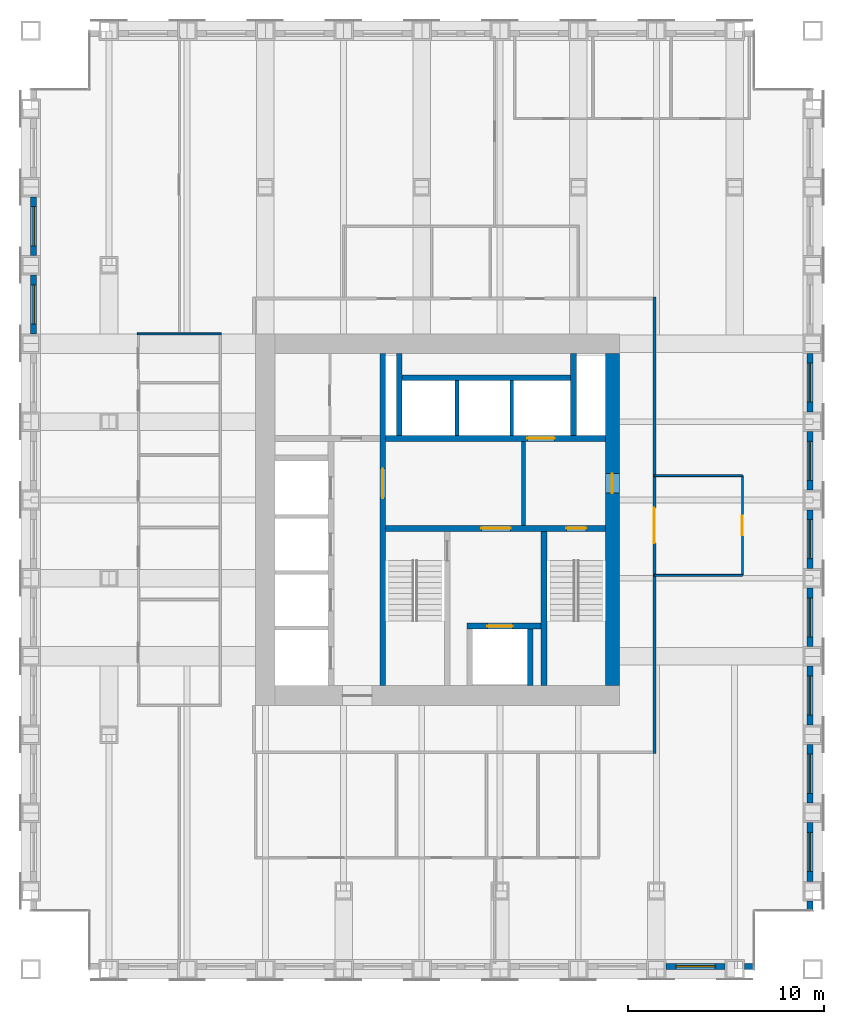
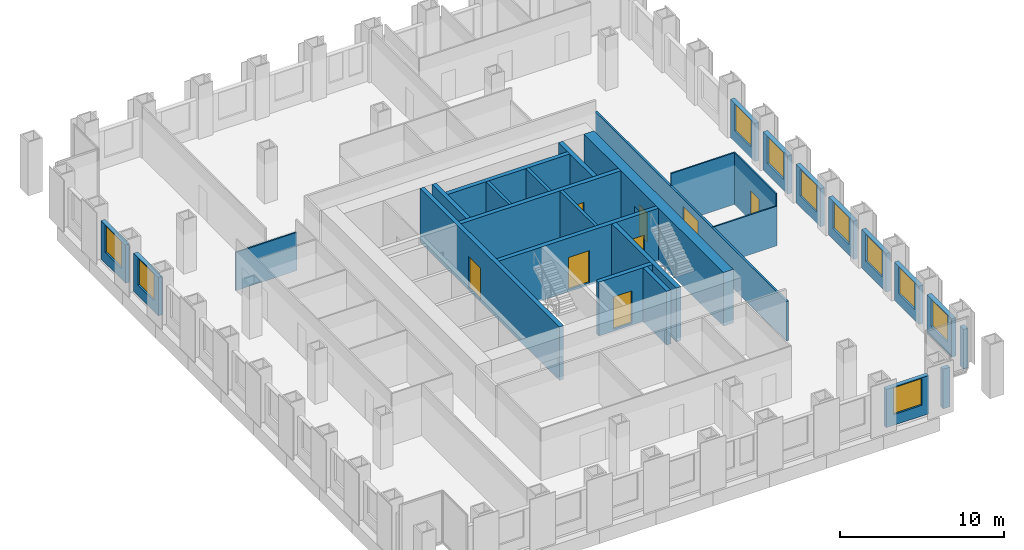
# One storey, part 9 of 12: 30 walls, 10 windows, 8 doors, 18 openings.
"""IFC4 building model written with IfcOpenShell, lengths in metres."""

from ifc_helpers import new_model, si_unit, direction, frame, frame_2d, origin, place, context, subcontext, project, spatial, rectangle, extrude, material, layer, layer_set, type_object, element, fill, save


model = new_model("IFC4")

# Units and contexts
model_context = context("Model", 3, precision=1e-05, world=origin(), true_north=direction((0.0, 1.0)))
body_context = subcontext(model_context, "Body", "Model", "MODEL_VIEW")
ifc_project = project(units=[si_unit("LENGTHUNIT", "METRE"), si_unit("AREAUNIT", "SQUARE_METRE"), si_unit("VOLUMEUNIT", "CUBIC_METRE"), si_unit("PLANEANGLEUNIT", "RADIAN"), si_unit("MASSUNIT", "GRAM", prefix="KILO")], contexts=[model_context])

# Site, building, storey
site_placement = place(None, origin())
site = spatial("IfcSite", under=ifc_project, at=site_placement, CompositionType="ELEMENT")
building_placement = place(site_placement, origin())
building = spatial("IfcBuilding", under=site, at=building_placement, Name="Rimbunsela Tower", CompositionType="ELEMENT")
storey_placement = place(building_placement, frame((0.0, 0.0, 163.800048828125)))
storey = spatial("IfcBuildingStorey", under=building, at=storey_placement, Name="L39", CompositionType="ELEMENT", Elevation=163.800048828125)

# Wall, opening, door
ifc_material_1 = material(Name="Concrete fc' 80 MPa", Category="concrete")
ifc_layer_1 = layer(ifc_material_1, 0.300048828125)
ifc_layer_set_1 = layer_set([ifc_layer_1], Name="Core internal wall 300")
wall_type_1 = type_object("IfcWallType", Name="Core internal wall 300", PredefinedType="SHEAR", material=ifc_layer_set_1)
wall_1_placement = place(storey_placement, frame((24.0, 18.5, -0.150146484375), z_axis=(0.0, 0.0, 1.0), x_axis=(0.0, 1.0, 0.0)))
wall_1 = element("IfcWall", 1, at=wall_1_placement, inside=storey, type_object=wall_type_1, Name="Core wall at stair A", PredefinedType="SHEAR", context=body_context, shape_type="SweptSolid", body=[
    extrude(rectangle(XDim=17.0, YDim=0.300048828125, at=frame_2d((8.5, 0.0))), origin(), (0.0, 0.0, 1.0), 4.0),
])
opening_1_placement = place(wall_1_placement, frame((9.60009765625, 0.0, 0.14990234375)))
opening_1 = element("IfcOpeningElement", 2, at=opening_1_placement, cuts=wall_1, Name="Opening D03", PredefinedType="OPENING", context=body_context, shape_type="SweptSolid", body=[
    extrude(rectangle(XDim=1.5, YDim=2.39990234375, at=frame_2d((0.75, 1.199951171875))), frame((0.0, 0.159912109375, 0.0), z_axis=(0.0, -1.0, 0.0), x_axis=(1.0, 0.0, 0.0)), (0.0, 0.0, 1.0), 0.320068359375),
])
ifc_material_2 = material(Name="Steel door, fire rated", Category="steel")
door_type_1 = type_object("IfcDoorType", Name="Core lobby door 1500", OperationType="DOUBLE_DOOR_DOUBLE_SWING", PredefinedType="DOOR", material=ifc_material_2)
door_1_placement = place(opening_1_placement, origin())
door_1 = element("IfcDoor", 3, at=door_1_placement, inside=storey, type_object=door_type_1, Name="West lobby door", OperationType="DOUBLE_DOOR_DOUBLE_SWING", OverallHeight=2.39990234375, OverallWidth=1.5, PredefinedType="DOOR", context=body_context, shape_type="SweptSolid", body=[
    extrude(rectangle(XDim=1.5, YDim=2.39990234375, at=frame_2d((0.75, 1.199951171875))), frame((0.0, 0.02490234375, 0.0), z_axis=(0.0, -1.0, 0.0), x_axis=(1.0, 0.0, 0.0)), (0.0, 0.0, 1.0), 0.050048828125),
])
fill(opening_1, door_1)

# Wall, openings, doors
wall_2_placement = place(storey_placement, frame((24.14990234375, 26.550048828125, -0.150146484375), z_axis=(0.0, 0.0, 1.0), x_axis=(1.0, 0.0, 0.0)))
wall_2 = element("IfcWall", 4, at=wall_2_placement, inside=storey, type_object=wall_type_1, Name="Core wall lobby south", PredefinedType="SHEAR", context=body_context, shape_type="SweptSolid", body=[
    extrude(rectangle(XDim=11.25, YDim=0.300048828125, at=frame_2d((5.625, 0.0))), origin(), (0.0, 0.0, 1.0), 4.0),
])
opening_2_placement = place(wall_2_placement, frame((9.25, 0.0, 0.14990234375)))
opening_2 = element("IfcOpeningElement", 5, at=opening_2_placement, cuts=wall_2, Name="Opening D01", PredefinedType="OPENING", context=body_context, shape_type="SweptSolid", body=[
    extrude(rectangle(XDim=1.0, YDim=2.199951171875, at=frame_2d((0.5, 1.10009765625))), frame((0.0, 0.159912109375, 0.0), z_axis=(0.0, -1.0, 0.0), x_axis=(1.0, 0.0, 0.0)), (0.0, 0.0, 1.0), 0.320068359375),
])
opening_3_placement = place(wall_2_placement, frame((4.89990234375, 0.0, 0.14990234375)))
opening_3 = element("IfcOpeningElement", 6, at=opening_3_placement, cuts=wall_2, Name="Opening D03", PredefinedType="OPENING", context=body_context, shape_type="SweptSolid", body=[
    extrude(rectangle(XDim=1.5, YDim=2.39990234375, at=frame_2d((0.75, 1.199951171875))), frame((0.0, 0.159912109375, 0.0), z_axis=(0.0, -1.0, 0.0), x_axis=(1.0, 0.0, 0.0)), (0.0, 0.0, 1.0), 0.320068359375),
])
door_2_placement = place(opening_3_placement, origin())
door_2 = element("IfcDoor", 7, at=door_2_placement, inside=storey, type_object=door_type_1, Name="Firefighting lobby door", OperationType="DOUBLE_DOOR_DOUBLE_SWING", OverallHeight=2.39990234375, OverallWidth=1.5, PredefinedType="DOOR", context=body_context, shape_type="SweptSolid", body=[
    extrude(rectangle(XDim=1.5, YDim=2.39990234375, at=frame_2d((0.75, 1.199951171875))), frame((0.0, 0.02490234375, 0.0), z_axis=(0.0, -1.0, 0.0), x_axis=(1.0, 0.0, 0.0)), (0.0, 0.0, 1.0), 0.050048828125),
])
fill(opening_3, door_2)
ifc_material_3 = material(Name="Steel door, fire rated", Category="steel")
door_type_2 = type_object("IfcDoorType", Name="Stair door 1000", OperationType="SINGLE_SWING_RIGHT", PredefinedType="DOOR", material=ifc_material_3)
door_3_placement = place(opening_2_placement, frame((1.0, 0.0, 0.0), z_axis=(0.0, 0.0, 1.0), x_axis=(-1.0, 0.0, 0.0)))
door_3 = element("IfcDoor", 8, at=door_3_placement, inside=storey, type_object=door_type_2, Name="Stair B door", OperationType="SINGLE_SWING_RIGHT", OverallHeight=2.199951171875, OverallWidth=1.0, PredefinedType="DOOR", context=body_context, shape_type="SweptSolid", body=[
    extrude(rectangle(XDim=1.0, YDim=2.199951171875, at=frame_2d((0.5, 1.10009765625))), frame((0.0, 0.02490234375, 0.0), z_axis=(0.0, -1.0, 0.0), x_axis=(1.0, 0.0, 0.0)), (0.0, 0.0, 1.0), 0.050048828125),
])
fill(opening_2, door_3)

# Walls
wall_3_placement = place(storey_placement, frame((32.25, 18.5, -0.150146484375), z_axis=(0.0, 0.0, 1.0), x_axis=(0.0, 1.0, 0.0)))
element("IfcWall", 9, at=wall_3_placement, inside=storey, type_object=wall_type_1, Name="Stair B enclosure", PredefinedType="SHEAR", context=body_context, shape_type="SweptSolid", body=[
    extrude(rectangle(XDim=7.89990234375, YDim=0.300048828125, at=frame_2d((3.949951171875, 0.0))), origin(), (0.0, 0.0, 1.0), 4.0),
])
wall_4_placement = place(storey_placement, frame((31.550048828125, 18.5, -0.150146484375), z_axis=(0.0, 0.0, 1.0), x_axis=(0.0, 1.0, 0.0)))
element("IfcWall", 10, at=wall_4_placement, inside=storey, type_object=wall_type_1, Name="Firefighting lift shaft east", PredefinedType="SHEAR", context=body_context, shape_type="SweptSolid", body=[
    extrude(rectangle(XDim=2.89990234375, YDim=0.300048828125, at=frame_2d((1.449951171875, 0.0))), origin(), (0.0, 0.0, 1.0), 4.0),
])

# Wall, opening, door
wall_5_placement = place(storey_placement, frame((28.300048828125, 21.550048828125, -0.150146484375), z_axis=(0.0, 0.0, 1.0), x_axis=(1.0, 0.0, 0.0)))
wall_5 = element("IfcWall", 11, at=wall_5_placement, inside=storey, type_object=wall_type_1, Name="Firefighting lift shaft front", PredefinedType="SHEAR", context=body_context, shape_type="SweptSolid", body=[
    extrude(rectangle(XDim=3.800048828125, YDim=0.300048828125, at=frame_2d((1.89990234375, 0.0))), origin(), (0.0, 0.0, 1.0), 4.0),
])
opening_4_placement = place(wall_5_placement, frame((1.050048828125, 0.0, 0.14990234375)))
opening_4 = element("IfcOpeningElement", 12, at=opening_4_placement, cuts=wall_5, Name="Opening LD2", PredefinedType="OPENING", context=body_context, shape_type="SweptSolid", body=[
    extrude(rectangle(XDim=1.300048828125, YDim=2.39990234375, at=frame_2d((0.64990234375, 1.199951171875))), frame((0.0, 0.159912109375, 0.0), z_axis=(0.0, -1.0, 0.0), x_axis=(1.0, 0.0, 0.0)), (0.0, 0.0, 1.0), 0.320068359375),
])
ifc_material_4 = material(Name="Steel door, fire rated", Category="steel")
door_type_3 = type_object("IfcDoorType", Name="Lift landing door 1300", OperationType="DOUBLE_DOOR_SLIDING", PredefinedType="DOOR", material=ifc_material_4)
door_4_placement = place(opening_4_placement, origin())
door_4 = element("IfcDoor", 13, at=door_4_placement, inside=storey, type_object=door_type_3, Name="Lift landing door FL1", OperationType="DOUBLE_DOOR_SLIDING", OverallHeight=2.39990234375, OverallWidth=1.300048828125, PredefinedType="DOOR", context=body_context, shape_type="SweptSolid", body=[
    extrude(rectangle(XDim=1.300048828125, YDim=2.39990234375, at=frame_2d((0.64990234375, 1.199951171875))), frame((0.0, 0.02490234375, 0.0), z_axis=(0.0, -1.0, 0.0), x_axis=(1.0, 0.0, 0.0)), (0.0, 0.0, 1.0), 0.050048828125),
])
fill(opening_4, door_4)

wall_6_placement = place(storey_placement, frame((24.14990234375, 31.14990234375, -0.150146484375), z_axis=(0.0, 0.0, 1.0), x_axis=(1.0, 0.0, 0.0)))
wall_6 = element("IfcWall", 14, at=wall_6_placement, inside=storey, type_object=wall_type_1, Name="Lift shaft front north", PredefinedType="SHEAR", context=body_context, shape_type="SweptSolid", body=[
    extrude(rectangle(XDim=11.25, YDim=0.300048828125, at=frame_2d((5.625, 0.0))), origin(), (0.0, 0.0, 1.0), 4.0),
])
opening_5_placement = place(wall_6_placement, frame((7.25, 0.0, 0.14990234375)))
opening_5 = element("IfcOpeningElement", 15, at=opening_5_placement, cuts=wall_6, Name="Opening LD3", PredefinedType="OPENING", context=body_context, shape_type="SweptSolid", body=[
    extrude(rectangle(XDim=1.39990234375, YDim=2.39990234375, at=frame_2d((0.699951171875, 1.199951171875))), frame((0.0, 0.159912109375, 0.0), z_axis=(0.0, -1.0, 0.0), x_axis=(1.0, 0.0, 0.0)), (0.0, 0.0, 1.0), 0.320068359375),
])
ifc_material_5 = material(Name="Steel door, fire rated", Category="steel")
door_type_4 = type_object("IfcDoorType", Name="Lift landing door 1400", OperationType="DOUBLE_DOOR_SLIDING", PredefinedType="DOOR", material=ifc_material_5)
door_5_placement = place(opening_5_placement, origin())
door_5 = element("IfcDoor", 16, at=door_5_placement, inside=storey, type_object=door_type_4, Name="Lift landing door FL2", OperationType="DOUBLE_DOOR_SLIDING", OverallHeight=2.39990234375, OverallWidth=1.39990234375, PredefinedType="DOOR", context=body_context, shape_type="SweptSolid", body=[
    extrude(rectangle(XDim=1.39990234375, YDim=2.39990234375, at=frame_2d((0.699951171875, 1.199951171875))), frame((0.0, 0.02490234375, 0.0), z_axis=(0.0, -1.0, 0.0), x_axis=(1.0, 0.0, 0.0)), (0.0, 0.0, 1.0), 0.050048828125),
])
fill(opening_5, door_5)

# Walls
for number, where, z_axis, x_axis, name in (
    (17, (24.85009765625, 31.300048828125, -0.150146484375), (0.0, 0.0, 1.0), (0.0, 1.0, 0.0), "Riser wall"),
    (18, (33.75, 31.300048828125, -0.150146484375), (0.0, 0.0, 1.0), (0.0, 1.0, 0.0), "Riser wall"),
):
    element("IfcWall", number, at=place(storey_placement, frame(where, z_axis=z_axis, x_axis=x_axis)), inside=storey, type_object=wall_type_1, Name=name, PredefinedType="SHEAR", context=body_context, shape_type="SweptSolid", body=[
        extrude(rectangle(XDim=4.199951171875, YDim=0.300048828125, at=frame_2d((2.10009765625, 0.0))), origin(), (0.0, 0.0, 1.0), 4.0),
    ])
wall_7_placement = place(storey_placement, frame((25.0, 34.25, -0.150146484375), z_axis=(0.0, 0.0, 1.0), x_axis=(1.0, 0.0, 0.0)))
element("IfcWall", 19, at=wall_7_placement, inside=storey, type_object=wall_type_1, Name="Lift shaft rear north", PredefinedType="SHEAR", context=body_context, shape_type="SweptSolid", body=[
    extrude(rectangle(XDim=8.60009765625, YDim=0.300048828125, at=frame_2d((4.300048828125, 0.0))), origin(), (0.0, 0.0, 1.0), 4.0),
])

# Wall, opening, door
ifc_material_6 = material(Name="Concrete fc' 80 MPa", Category="concrete")
ifc_layer_2 = layer(ifc_material_6, 0.699951171875)
ifc_layer_set_2 = layer_set([ifc_layer_2], Name="Core wall 700 east")
wall_type_2 = type_object("IfcWallType", Name="Core wall 700 east", PredefinedType="SHEAR", material=ifc_layer_set_2)
wall_8_placement = place(storey_placement, frame((35.75, 18.5, -0.150146484375), z_axis=(0.0, 0.0, 1.0), x_axis=(0.0, 1.0, 0.0)))
wall_8 = element("IfcWall", 20, at=wall_8_placement, inside=storey, type_object=wall_type_2, Name="Core wall east", PredefinedType="SHEAR", context=body_context, shape_type="SweptSolid", body=[
    extrude(rectangle(XDim=17.0, YDim=0.699951171875, at=frame_2d((8.5, 0.0))), origin(), (0.0, 0.0, 1.0), 4.0),
])
opening_6_placement = place(wall_8_placement, frame((9.85009765625, 0.0, 0.14990234375)))
opening_6 = element("IfcOpeningElement", 21, at=opening_6_placement, cuts=wall_8, Name="Opening D01", PredefinedType="OPENING", context=body_context, shape_type="SweptSolid", body=[
    extrude(rectangle(XDim=1.0, YDim=2.199951171875, at=frame_2d((0.5, 1.10009765625))), frame((0.0, 0.35986328125, 0.0), z_axis=(0.0, -1.0, 0.0), x_axis=(1.0, 0.0, 0.0)), (0.0, 0.0, 1.0), 0.719970703125),
])
door_6_placement = place(opening_6_placement, origin())
door_6 = element("IfcDoor", 22, at=door_6_placement, inside=storey, type_object=door_type_2, Name="Firefighting lobby 2 door", OperationType="SINGLE_SWING_RIGHT", OverallHeight=2.199951171875, OverallWidth=1.0, PredefinedType="DOOR", context=body_context, shape_type="SweptSolid", body=[
    extrude(rectangle(XDim=1.0, YDim=2.199951171875, at=frame_2d((0.5, 1.10009765625))), frame((0.0, 0.02490234375, 0.0), z_axis=(0.0, -1.0, 0.0), x_axis=(1.0, 0.0, 0.0)), (0.0, 0.0, 1.0), 0.050048828125),
])
fill(opening_6, door_6)

# Walls
ifc_material_7 = material(Name="Concrete blockwork", Category="masonry")
ifc_layer_3 = layer(ifc_material_7, 0.199951171875)
ifc_layer_set_3 = layer_set([ifc_layer_3], Name="Lift shaft wall 200")
wall_type_3 = type_object("IfcWallType", Name="Lift shaft wall 200", PredefinedType="SOLIDWALL", material=ifc_layer_set_3)
for number, where, z_axis, x_axis, name in (
    (23, (27.800048828125, 31.300048828125, -0.150146484375), (0.0, 0.0, 1.0), (0.0, 1.0, 0.0), "Lift shaft separation"),
    (24, (30.60009765625, 31.300048828125, -0.150146484375), (0.0, 0.0, 1.0), (0.0, 1.0, 0.0), "Lift shaft separation"),
):
    element("IfcWall", number, at=place(storey_placement, frame(where, z_axis=z_axis, x_axis=x_axis)), inside=storey, type_object=wall_type_3, Name=name, PredefinedType="SOLIDWALL", context=body_context, shape_type="SweptSolid", body=[
        extrude(rectangle(XDim=2.800048828125, YDim=0.199951171875, at=frame_2d((1.39990234375, 0.0))), origin(), (0.0, 0.0, 1.0), 4.0),
    ])
wall_9_placement = place(storey_placement, frame((31.199951171875, 26.699951171875, 0.0), z_axis=(0.0, 0.0, 1.0), x_axis=(0.0, 1.0, 0.0)))
element("IfcWall", 25, at=wall_9_placement, inside=storey, type_object=wall_type_3, Name="Firefighting lobby 2 wall", PredefinedType="SOLIDWALL", context=body_context, shape_type="SweptSolid", body=[
    extrude(rectangle(XDim=4.300048828125, YDim=0.199951171875, at=frame_2d((2.14990234375, 0.0))), origin(), (0.0, 0.0, 1.0), 3.849853515625),
])
ifc_material_8 = material(Name="Gypsum board on steel studs", Category="steel")
ifc_layer_4 = layer(ifc_material_8, 0.10009765625)
ifc_layer_set_4 = layer_set([ifc_layer_4], Name="Office partition 100")
wall_type_4 = type_object("IfcWallType", Name="Office partition 100", PredefinedType="PARTITIONING", material=ifc_layer_set_4)
wall_10_placement = place(storey_placement, frame((11.449951171875, 36.5, 0.0), z_axis=(0.0, 0.0, 1.0), x_axis=(1.0, 0.0, 0.0)))
element("IfcWall", 26, at=wall_10_placement, inside=storey, type_object=wall_type_4, Name="Office partition", PredefinedType="PARTITIONING", context=body_context, shape_type="SweptSolid", body=[
    extrude(rectangle(XDim=4.300048828125, YDim=0.10009765625, at=frame_2d((2.14990234375, 0.0))), origin(), (0.0, 0.0, 1.0), 2.849853515625),
])
wall_11_placement = place(storey_placement, frame((37.89990234375, 24.14990234375, 0.0), z_axis=(0.0, 0.0, 1.0), x_axis=(1.0, 0.0, 0.0)))
element("IfcWall", 27, at=wall_11_placement, inside=storey, type_object=wall_type_4, Name="Office partition", PredefinedType="PARTITIONING", context=body_context, shape_type="SweptSolid", body=[
    extrude(rectangle(XDim=4.5, YDim=0.10009765625, at=frame_2d((2.25, 0.0))), origin(), (0.0, 0.0, 1.0), 2.949951171875),
])

# Wall, opening, door
wall_12_placement = place(storey_placement, frame((42.39990234375, 24.14990234375, 0.0), z_axis=(0.0, 0.0, 1.0), x_axis=(0.0, 1.0, 0.0)))
wall_12 = element("IfcWall", 28, at=wall_12_placement, inside=storey, type_object=wall_type_4, Name="Office partition", PredefinedType="PARTITIONING", context=body_context, shape_type="SweptSolid", body=[
    extrude(rectangle(XDim=5.10009765625, YDim=0.10009765625, at=frame_2d((2.550048828125, 0.0))), origin(), (0.0, 0.0, 1.0), 3.849853515625),
])
opening_7_placement = place(wall_12_placement, frame((2.050048828125, 0.0, 0.0)))
opening_7 = element("IfcOpeningElement", 29, at=opening_7_placement, cuts=wall_12, Name="Opening D17", PredefinedType="OPENING", context=body_context, shape_type="SweptSolid", body=[
    extrude(rectangle(XDim=1.0, YDim=2.199951171875, at=frame_2d((0.5, 1.10009765625))), frame((0.0, 0.06005859375, 0.0), z_axis=(0.0, -1.0, 0.0), x_axis=(1.0, 0.0, 0.0)), (0.0, 0.0, 1.0), 0.1201171875),
])
ifc_material_9 = material(Name="Glazed aluminium door", Category="aluminium")
door_type_5 = type_object("IfcDoorType", Name="Meeting room door 1000 glazed", OperationType="SINGLE_SWING_RIGHT", PredefinedType="DOOR", material=ifc_material_9)
door_7_placement = place(opening_7_placement, origin())
door_7 = element("IfcDoor", 30, at=door_7_placement, inside=storey, type_object=door_type_5, Name="Reception door", OperationType="SINGLE_SWING_RIGHT", OverallHeight=2.199951171875, OverallWidth=1.0, PredefinedType="DOOR", context=body_context, shape_type="SweptSolid", body=[
    extrude(rectangle(XDim=1.0, YDim=2.199951171875, at=frame_2d((0.5, 1.10009765625))), frame((0.0, 0.02490234375, 0.0), z_axis=(0.0, -1.0, 0.0), x_axis=(1.0, 0.0, 0.0)), (0.0, 0.0, 1.0), 0.050048828125),
])
fill(opening_7, door_7)

# Wall
wall_13_placement = place(storey_placement, frame((42.39990234375, 29.25, 0.0), z_axis=(0.0, 0.0, 1.0), x_axis=(-1.0, 0.0, 0.0)))
element("IfcWall", 31, at=wall_13_placement, inside=storey, type_object=wall_type_4, Name="Office partition", PredefinedType="PARTITIONING", context=body_context, shape_type="SweptSolid", body=[
    extrude(rectangle(XDim=4.5, YDim=0.10009765625, at=frame_2d((2.25, 0.0))), origin(), (0.0, 0.0, 1.0), 3.849853515625),
])

# Wall, opening, window
ifc_material_10 = material(Name="Precast concrete fc' 35 MPa", Category="concrete")
ifc_layer_5 = layer(ifc_material_10, 0.300048828125)
ifc_layer_set_5 = layer_set([ifc_layer_5], Name="Precast concrete fc' 35 MPa")
wall_type_5 = type_object("IfcWallType", Name="Precast facade panel 300", PredefinedType="ELEMENTEDWALL", material=ifc_layer_set_5)
wall_14_placement = place(storey_placement, frame((38.5, 4.14990234375, 0.0), z_axis=(0.0, 0.0, 1.0), x_axis=(1.0, 0.0, 0.0)))
wall_14 = element("IfcWall", 32, at=wall_14_placement, inside=storey, type_object=wall_type_5, Name="Facade panel S L39", PredefinedType="ELEMENTEDWALL", context=body_context, shape_type="SweptSolid", body=[
    extrude(rectangle(XDim=3.0, YDim=0.300048828125, at=frame_2d((1.5, 0.0))), origin(), (0.0, 0.0, 1.0), 2.849853515625),
])
opening_8_placement = place(wall_14_placement, frame((0.5, 0.0, 0.800048828125)))
opening_8 = element("IfcOpeningElement", 33, at=opening_8_placement, cuts=wall_14, Name="Opening W1", PredefinedType="OPENING", context=body_context, shape_type="SweptSolid", body=[
    extrude(rectangle(XDim=2.0, YDim=2.0, at=frame_2d((1.0, 1.0))), frame((0.0, 0.159912109375, 0.0), z_axis=(0.0, -1.0, 0.0), x_axis=(1.0, 0.0, 0.0)), (0.0, 0.0, 1.0), 0.320068359375),
])
ifc_material_11 = material(Name="Clear glass in aluminium frame", Category="aluminium")
window_type = type_object("IfcWindowType", Name="Window W1 2000x2000", PartitioningType="DOUBLE_PANEL_VERTICAL", PredefinedType="WINDOW", material=ifc_material_11)
window_1_placement = place(opening_8_placement, origin())
window_1 = element("IfcWindow", 34, at=window_1_placement, inside=storey, type_object=window_type, Name="Window L39", OverallHeight=2.0, OverallWidth=2.0, PartitioningType="SINGLE_PANEL", PredefinedType="WINDOW", context=body_context, shape_type="SweptSolid", body=[
    extrude(rectangle(XDim=2.0, YDim=2.0, at=frame_2d((1.0, 1.0))), frame((0.0, 0.030029296875, 0.0), z_axis=(0.0, -1.0, 0.0), x_axis=(1.0, 0.0, 0.0)), (0.0, 0.0, 1.0), 0.06005859375),
])
fill(opening_8, window_1)

# Walls
for number, where, z_axis, x_axis, name in (
    (35, (42.5, 4.14990234375, 0.0), (0.0, 0.0, 1.0), (1.0, 0.0, 0.0), "Facade panel S L39"),
    (36, (45.85009765625, 7.030029296875, 0.0), (0.0, 0.0, 1.0), (0.0, 1.0, 0.0), "Facade panel E L39"),
):
    element("IfcWall", number, at=place(storey_placement, frame(where, z_axis=z_axis, x_axis=x_axis)), inside=storey, type_object=wall_type_5, Name=name, PredefinedType="ELEMENTEDWALL", context=body_context, shape_type="SweptSolid", body=[
        extrude(rectangle(XDim=0.469970703125, YDim=0.300048828125, at=frame_2d((0.23486328125, 0.0))), origin(), (0.0, 0.0, 1.0), 2.949951171875),
    ])

# Wall, opening, window
wall_15_placement = place(storey_placement, frame((45.85009765625, 8.5, 0.0), z_axis=(0.0, 0.0, 1.0), x_axis=(0.0, 1.0, 0.0)))
wall_15 = element("IfcWall", 37, at=wall_15_placement, inside=storey, type_object=wall_type_5, Name="Facade panel E L39", PredefinedType="ELEMENTEDWALL", context=body_context, shape_type="SweptSolid", body=[
    extrude(rectangle(XDim=3.0, YDim=0.300048828125, at=frame_2d((1.5, 0.0))), origin(), (0.0, 0.0, 1.0), 2.849853515625),
])
opening_9_placement = place(wall_15_placement, frame((0.5, 0.0, 0.800048828125)))
opening_9 = element("IfcOpeningElement", 38, at=opening_9_placement, cuts=wall_15, Name="Opening W1", PredefinedType="OPENING", context=body_context, shape_type="SweptSolid", body=[
    extrude(rectangle(XDim=2.0, YDim=2.0, at=frame_2d((1.0, 1.0))), frame((0.0, 0.159912109375, 0.0), z_axis=(0.0, -1.0, 0.0), x_axis=(1.0, 0.0, 0.0)), (0.0, 0.0, 1.0), 0.320068359375),
])
window_2_placement = place(opening_9_placement, origin())
window_2 = element("IfcWindow", 39, at=window_2_placement, inside=storey, type_object=window_type, Name="Window L39", OverallHeight=2.0, OverallWidth=2.0, PartitioningType="SINGLE_PANEL", PredefinedType="WINDOW", context=body_context, shape_type="SweptSolid", body=[
    extrude(rectangle(XDim=2.0, YDim=2.0, at=frame_2d((1.0, 1.0))), frame((0.0, 0.030029296875, 0.0), z_axis=(0.0, -1.0, 0.0), x_axis=(1.0, 0.0, 0.0)), (0.0, 0.0, 1.0), 0.06005859375),
])
fill(opening_9, window_2)

wall_16_placement = place(storey_placement, frame((45.85009765625, 12.5, 0.0), z_axis=(0.0, 0.0, 1.0), x_axis=(0.0, 1.0, 0.0)))
wall_16 = element("IfcWall", 40, at=wall_16_placement, inside=storey, type_object=wall_type_5, Name="Facade panel E L39", PredefinedType="ELEMENTEDWALL", context=body_context, shape_type="SweptSolid", body=[
    extrude(rectangle(XDim=3.0, YDim=0.300048828125, at=frame_2d((1.5, 0.0))), origin(), (0.0, 0.0, 1.0), 2.849853515625),
])
opening_10_placement = place(wall_16_placement, frame((0.5, 0.0, 0.800048828125)))
opening_10 = element("IfcOpeningElement", 41, at=opening_10_placement, cuts=wall_16, Name="Opening W1", PredefinedType="OPENING", context=body_context, shape_type="SweptSolid", body=[
    extrude(rectangle(XDim=2.0, YDim=2.0, at=frame_2d((1.0, 1.0))), frame((0.0, 0.159912109375, 0.0), z_axis=(0.0, -1.0, 0.0), x_axis=(1.0, 0.0, 0.0)), (0.0, 0.0, 1.0), 0.320068359375),
])
window_3_placement = place(opening_10_placement, origin())
window_3 = element("IfcWindow", 42, at=window_3_placement, inside=storey, type_object=window_type, Name="Window L39", OverallHeight=2.0, OverallWidth=2.0, PartitioningType="SINGLE_PANEL", PredefinedType="WINDOW", context=body_context, shape_type="SweptSolid", body=[
    extrude(rectangle(XDim=2.0, YDim=2.0, at=frame_2d((1.0, 1.0))), frame((0.0, 0.030029296875, 0.0), z_axis=(0.0, -1.0, 0.0), x_axis=(1.0, 0.0, 0.0)), (0.0, 0.0, 1.0), 0.06005859375),
])
fill(opening_10, window_3)

wall_17_placement = place(storey_placement, frame((45.85009765625, 16.5, 0.0), z_axis=(0.0, 0.0, 1.0), x_axis=(0.0, 1.0, 0.0)))
wall_17 = element("IfcWall", 43, at=wall_17_placement, inside=storey, type_object=wall_type_5, Name="Facade panel E L39", PredefinedType="ELEMENTEDWALL", context=body_context, shape_type="SweptSolid", body=[
    extrude(rectangle(XDim=3.0, YDim=0.300048828125, at=frame_2d((1.5, 0.0))), origin(), (0.0, 0.0, 1.0), 2.849853515625),
])
opening_11_placement = place(wall_17_placement, frame((0.5, 0.0, 0.800048828125)))
opening_11 = element("IfcOpeningElement", 44, at=opening_11_placement, cuts=wall_17, Name="Opening W1", PredefinedType="OPENING", context=body_context, shape_type="SweptSolid", body=[
    extrude(rectangle(XDim=2.0, YDim=2.0, at=frame_2d((1.0, 1.0))), frame((0.0, 0.159912109375, 0.0), z_axis=(0.0, -1.0, 0.0), x_axis=(1.0, 0.0, 0.0)), (0.0, 0.0, 1.0), 0.320068359375),
])
window_4_placement = place(opening_11_placement, origin())
window_4 = element("IfcWindow", 45, at=window_4_placement, inside=storey, type_object=window_type, Name="Window L39", OverallHeight=2.0, OverallWidth=2.0, PartitioningType="SINGLE_PANEL", PredefinedType="WINDOW", context=body_context, shape_type="SweptSolid", body=[
    extrude(rectangle(XDim=2.0, YDim=2.0, at=frame_2d((1.0, 1.0))), frame((0.0, 0.030029296875, 0.0), z_axis=(0.0, -1.0, 0.0), x_axis=(1.0, 0.0, 0.0)), (0.0, 0.0, 1.0), 0.06005859375),
])
fill(opening_11, window_4)

wall_18_placement = place(storey_placement, frame((45.85009765625, 20.5, 0.0), z_axis=(0.0, 0.0, 1.0), x_axis=(0.0, 1.0, 0.0)))
wall_18 = element("IfcWall", 46, at=wall_18_placement, inside=storey, type_object=wall_type_5, Name="Facade panel E L39", PredefinedType="ELEMENTEDWALL", context=body_context, shape_type="SweptSolid", body=[
    extrude(rectangle(XDim=3.0, YDim=0.300048828125, at=frame_2d((1.5, 0.0))), origin(), (0.0, 0.0, 1.0), 2.849853515625),
])
opening_12_placement = place(wall_18_placement, frame((0.5, 0.0, 0.800048828125)))
opening_12 = element("IfcOpeningElement", 47, at=opening_12_placement, cuts=wall_18, Name="Opening W1", PredefinedType="OPENING", context=body_context, shape_type="SweptSolid", body=[
    extrude(rectangle(XDim=2.0, YDim=2.0, at=frame_2d((1.0, 1.0))), frame((0.0, 0.159912109375, 0.0), z_axis=(0.0, -1.0, 0.0), x_axis=(1.0, 0.0, 0.0)), (0.0, 0.0, 1.0), 0.320068359375),
])
window_5_placement = place(opening_12_placement, origin())
window_5 = element("IfcWindow", 48, at=window_5_placement, inside=storey, type_object=window_type, Name="Window L39", OverallHeight=2.0, OverallWidth=2.0, PartitioningType="SINGLE_PANEL", PredefinedType="WINDOW", context=body_context, shape_type="SweptSolid", body=[
    extrude(rectangle(XDim=2.0, YDim=2.0, at=frame_2d((1.0, 1.0))), frame((0.0, 0.030029296875, 0.0), z_axis=(0.0, -1.0, 0.0), x_axis=(1.0, 0.0, 0.0)), (0.0, 0.0, 1.0), 0.06005859375),
])
fill(opening_12, window_5)

wall_19_placement = place(storey_placement, frame((45.85009765625, 24.5, 0.0), z_axis=(0.0, 0.0, 1.0), x_axis=(0.0, 1.0, 0.0)))
wall_19 = element("IfcWall", 49, at=wall_19_placement, inside=storey, type_object=wall_type_5, Name="Facade panel E L39", PredefinedType="ELEMENTEDWALL", context=body_context, shape_type="SweptSolid", body=[
    extrude(rectangle(XDim=3.0, YDim=0.300048828125, at=frame_2d((1.5, 0.0))), origin(), (0.0, 0.0, 1.0), 2.849853515625),
])
opening_13_placement = place(wall_19_placement, frame((0.5, 0.0, 0.800048828125)))
opening_13 = element("IfcOpeningElement", 50, at=opening_13_placement, cuts=wall_19, Name="Opening W1", PredefinedType="OPENING", context=body_context, shape_type="SweptSolid", body=[
    extrude(rectangle(XDim=2.0, YDim=2.0, at=frame_2d((1.0, 1.0))), frame((0.0, 0.159912109375, 0.0), z_axis=(0.0, -1.0, 0.0), x_axis=(1.0, 0.0, 0.0)), (0.0, 0.0, 1.0), 0.320068359375),
])
window_6_placement = place(opening_13_placement, origin())
window_6 = element("IfcWindow", 51, at=window_6_placement, inside=storey, type_object=window_type, Name="Window L39", OverallHeight=2.0, OverallWidth=2.0, PartitioningType="SINGLE_PANEL", PredefinedType="WINDOW", context=body_context, shape_type="SweptSolid", body=[
    extrude(rectangle(XDim=2.0, YDim=2.0, at=frame_2d((1.0, 1.0))), frame((0.0, 0.030029296875, 0.0), z_axis=(0.0, -1.0, 0.0), x_axis=(1.0, 0.0, 0.0)), (0.0, 0.0, 1.0), 0.06005859375),
])
fill(opening_13, window_6)

wall_20_placement = place(storey_placement, frame((45.85009765625, 28.5, 0.0), z_axis=(0.0, 0.0, 1.0), x_axis=(0.0, 1.0, 0.0)))
wall_20 = element("IfcWall", 52, at=wall_20_placement, inside=storey, type_object=wall_type_5, Name="Facade panel E L39", PredefinedType="ELEMENTEDWALL", context=body_context, shape_type="SweptSolid", body=[
    extrude(rectangle(XDim=3.0, YDim=0.300048828125, at=frame_2d((1.5, 0.0))), origin(), (0.0, 0.0, 1.0), 2.849853515625),
])
opening_14_placement = place(wall_20_placement, frame((0.5, 0.0, 0.800048828125)))
opening_14 = element("IfcOpeningElement", 53, at=opening_14_placement, cuts=wall_20, Name="Opening W1", PredefinedType="OPENING", context=body_context, shape_type="SweptSolid", body=[
    extrude(rectangle(XDim=2.0, YDim=2.0, at=frame_2d((1.0, 1.0))), frame((0.0, 0.159912109375, 0.0), z_axis=(0.0, -1.0, 0.0), x_axis=(1.0, 0.0, 0.0)), (0.0, 0.0, 1.0), 0.320068359375),
])
window_7_placement = place(opening_14_placement, origin())
window_7 = element("IfcWindow", 54, at=window_7_placement, inside=storey, type_object=window_type, Name="Window L39", OverallHeight=2.0, OverallWidth=2.0, PartitioningType="SINGLE_PANEL", PredefinedType="WINDOW", context=body_context, shape_type="SweptSolid", body=[
    extrude(rectangle(XDim=2.0, YDim=2.0, at=frame_2d((1.0, 1.0))), frame((0.0, 0.030029296875, 0.0), z_axis=(0.0, -1.0, 0.0), x_axis=(1.0, 0.0, 0.0)), (0.0, 0.0, 1.0), 0.06005859375),
])
fill(opening_14, window_7)

wall_21_placement = place(storey_placement, frame((45.85009765625, 32.5, 0.0), z_axis=(0.0, 0.0, 1.0), x_axis=(0.0, 1.0, 0.0)))
wall_21 = element("IfcWall", 55, at=wall_21_placement, inside=storey, type_object=wall_type_5, Name="Facade panel E L39", PredefinedType="ELEMENTEDWALL", context=body_context, shape_type="SweptSolid", body=[
    extrude(rectangle(XDim=3.0, YDim=0.300048828125, at=frame_2d((1.5, 0.0))), origin(), (0.0, 0.0, 1.0), 2.849853515625),
])
opening_15_placement = place(wall_21_placement, frame((0.5, 0.0, 0.800048828125)))
opening_15 = element("IfcOpeningElement", 56, at=opening_15_placement, cuts=wall_21, Name="Opening W1", PredefinedType="OPENING", context=body_context, shape_type="SweptSolid", body=[
    extrude(rectangle(XDim=2.0, YDim=2.0, at=frame_2d((1.0, 1.0))), frame((0.0, 0.159912109375, 0.0), z_axis=(0.0, -1.0, 0.0), x_axis=(1.0, 0.0, 0.0)), (0.0, 0.0, 1.0), 0.320068359375),
])
window_8_placement = place(opening_15_placement, origin())
window_8 = element("IfcWindow", 57, at=window_8_placement, inside=storey, type_object=window_type, Name="Window L39", OverallHeight=2.0, OverallWidth=2.0, PartitioningType="SINGLE_PANEL", PredefinedType="WINDOW", context=body_context, shape_type="SweptSolid", body=[
    extrude(rectangle(XDim=2.0, YDim=2.0, at=frame_2d((1.0, 1.0))), frame((0.0, 0.030029296875, 0.0), z_axis=(0.0, -1.0, 0.0), x_axis=(1.0, 0.0, 0.0)), (0.0, 0.0, 1.0), 0.06005859375),
])
fill(opening_15, window_8)

wall_22_placement = place(storey_placement, frame((6.14990234375, 39.5, 0.0), z_axis=(0.0, 0.0, 1.0), x_axis=(0.0, -1.0, 0.0)))
wall_22 = element("IfcWall", 58, at=wall_22_placement, inside=storey, type_object=wall_type_5, Name="Facade panel W L39", PredefinedType="ELEMENTEDWALL", context=body_context, shape_type="SweptSolid", body=[
    extrude(rectangle(XDim=3.0, YDim=0.300048828125, at=frame_2d((1.5, 0.0))), origin(), (0.0, 0.0, 1.0), 2.849853515625),
])
opening_16_placement = place(wall_22_placement, frame((0.5, 0.0, 0.800048828125)))
opening_16 = element("IfcOpeningElement", 59, at=opening_16_placement, cuts=wall_22, Name="Opening W1", PredefinedType="OPENING", context=body_context, shape_type="SweptSolid", body=[
    extrude(rectangle(XDim=2.0, YDim=2.0, at=frame_2d((1.0, 1.0))), frame((0.0, 0.159912109375, 0.0), z_axis=(0.0, -1.0, 0.0), x_axis=(1.0, 0.0, 0.0)), (0.0, 0.0, 1.0), 0.320068359375),
])
window_9_placement = place(opening_16_placement, origin())
window_9 = element("IfcWindow", 60, at=window_9_placement, inside=storey, type_object=window_type, Name="Window L39", OverallHeight=2.0, OverallWidth=2.0, PartitioningType="SINGLE_PANEL", PredefinedType="WINDOW", context=body_context, shape_type="SweptSolid", body=[
    extrude(rectangle(XDim=2.0, YDim=2.0, at=frame_2d((1.0, 1.0))), frame((0.0, 0.030029296875, 0.0), z_axis=(0.0, -1.0, 0.0), x_axis=(1.0, 0.0, 0.0)), (0.0, 0.0, 1.0), 0.06005859375),
])
fill(opening_16, window_9)

wall_23_placement = place(storey_placement, frame((6.14990234375, 43.5, 0.0), z_axis=(0.0, 0.0, 1.0), x_axis=(0.0, -1.0, 0.0)))
wall_23 = element("IfcWall", 61, at=wall_23_placement, inside=storey, type_object=wall_type_5, Name="Facade panel W L39", PredefinedType="ELEMENTEDWALL", context=body_context, shape_type="SweptSolid", body=[
    extrude(rectangle(XDim=3.0, YDim=0.300048828125, at=frame_2d((1.5, 0.0))), origin(), (0.0, 0.0, 1.0), 2.849853515625),
])
opening_17_placement = place(wall_23_placement, frame((0.5, 0.0, 0.800048828125)))
opening_17 = element("IfcOpeningElement", 62, at=opening_17_placement, cuts=wall_23, Name="Opening W1", PredefinedType="OPENING", context=body_context, shape_type="SweptSolid", body=[
    extrude(rectangle(XDim=2.0, YDim=2.0, at=frame_2d((1.0, 1.0))), frame((0.0, 0.159912109375, 0.0), z_axis=(0.0, -1.0, 0.0), x_axis=(1.0, 0.0, 0.0)), (0.0, 0.0, 1.0), 0.320068359375),
])
window_10_placement = place(opening_17_placement, origin())
window_10 = element("IfcWindow", 63, at=window_10_placement, inside=storey, type_object=window_type, Name="Window L39", OverallHeight=2.0, OverallWidth=2.0, PartitioningType="SINGLE_PANEL", PredefinedType="WINDOW", context=body_context, shape_type="SweptSolid", body=[
    extrude(rectangle(XDim=2.0, YDim=2.0, at=frame_2d((1.0, 1.0))), frame((0.0, 0.030029296875, 0.0), z_axis=(0.0, -1.0, 0.0), x_axis=(1.0, 0.0, 0.0)), (0.0, 0.0, 1.0), 0.06005859375),
])
fill(opening_17, window_10)

# Wall, opening, door
ifc_material_12 = material(Name="Fire-rated gypsum board on steel studs, EI 60", Category="steel")
ifc_layer_6 = layer(ifc_material_12, 0.14990234375)
ifc_layer_set_6 = layer_set([ifc_layer_6], Name="Rated corridor wall 150")
wall_type_6 = type_object("IfcWallType", Name="Rated corridor wall 150", PredefinedType="PARTITIONING", material=ifc_layer_set_6)
wall_24_placement = place(storey_placement, frame((37.89990234375, 15.02490234375, 0.0), z_axis=(0.0, 0.0, 1.0), x_axis=(0.0, 1.0, 0.0)))
wall_24 = element("IfcWall", 64, at=wall_24_placement, inside=storey, type_object=wall_type_6, Name="Corridor wall east", PredefinedType="PARTITIONING", context=body_context, shape_type="SweptSolid", body=[
    extrude(rectangle(XDim=23.35009765625, YDim=0.14990234375, at=frame_2d((11.675048828125, 0.0))), origin(), (0.0, 0.0, 1.0), 2.949951171875),
])
opening_18_placement = place(wall_24_placement, frame((10.77490234375, 0.0, 0.0)))
opening_18 = element("IfcOpeningElement", 65, at=opening_18_placement, cuts=wall_24, Name="Opening D09", PredefinedType="OPENING", context=body_context, shape_type="SweptSolid", body=[
    extrude(rectangle(XDim=1.800048828125, YDim=2.39990234375, at=frame_2d((0.89990234375, 1.199951171875))), frame((0.0, 0.0849609375, 0.0), z_axis=(0.0, -1.0, 0.0), x_axis=(1.0, 0.0, 0.0)), (0.0, 0.0, 1.0), 0.169921875),
])
ifc_material_13 = material(Name="Glazed aluminium door, fire rated", Category="aluminium")
door_type_6 = type_object("IfcDoorType", Name="Tenancy door 1800 glazed", OperationType="DOUBLE_DOOR_DOUBLE_SWING", PredefinedType="DOOR", material=ifc_material_13)
door_8_placement = place(opening_18_placement, origin())
door_8 = element("IfcDoor", 66, at=door_8_placement, inside=storey, type_object=door_type_6, Name="Tenancy door", OperationType="DOUBLE_DOOR_DOUBLE_SWING", OverallHeight=2.39990234375, OverallWidth=1.800048828125, PredefinedType="DOOR", context=body_context, shape_type="SweptSolid", body=[
    extrude(rectangle(XDim=1.800048828125, YDim=2.39990234375, at=frame_2d((0.89990234375, 1.199951171875))), frame((0.0, 0.02490234375, 0.0), z_axis=(0.0, -1.0, 0.0), x_axis=(1.0, 0.0, 0.0)), (0.0, 0.0, 1.0), 0.050048828125),
])
fill(opening_18, door_8)

save(model, "model.ifc")
